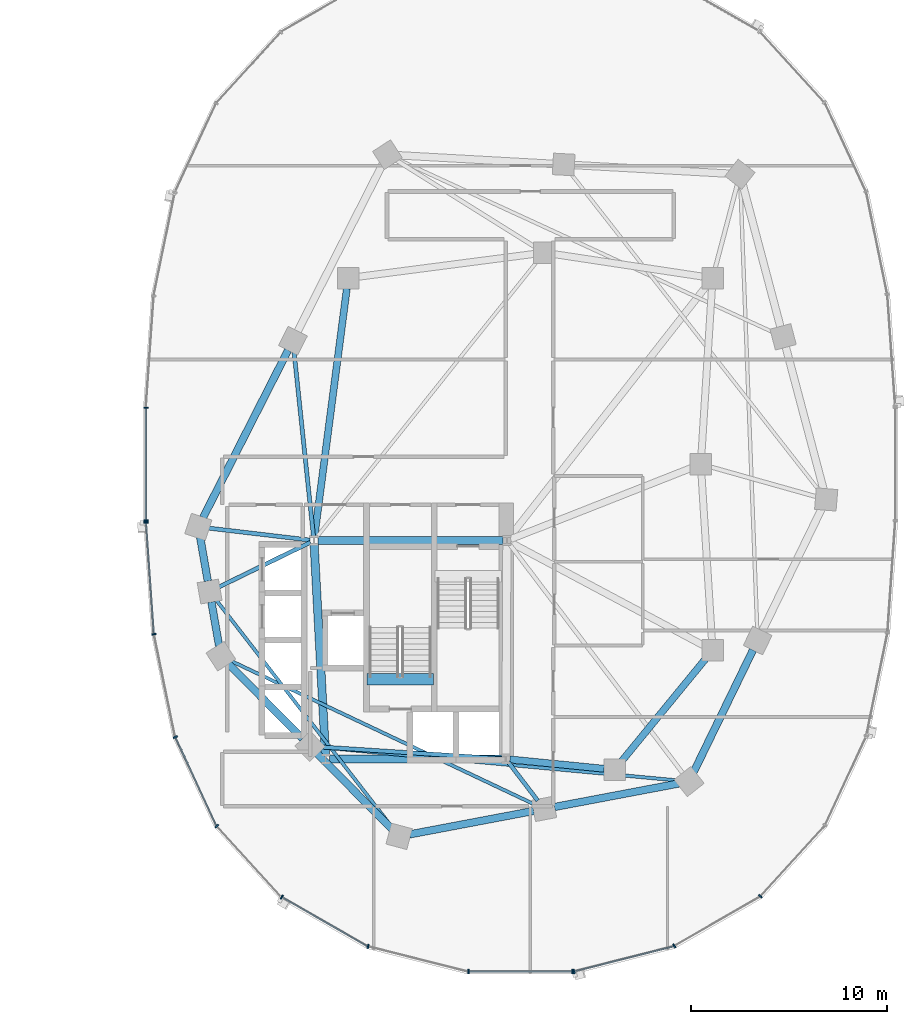
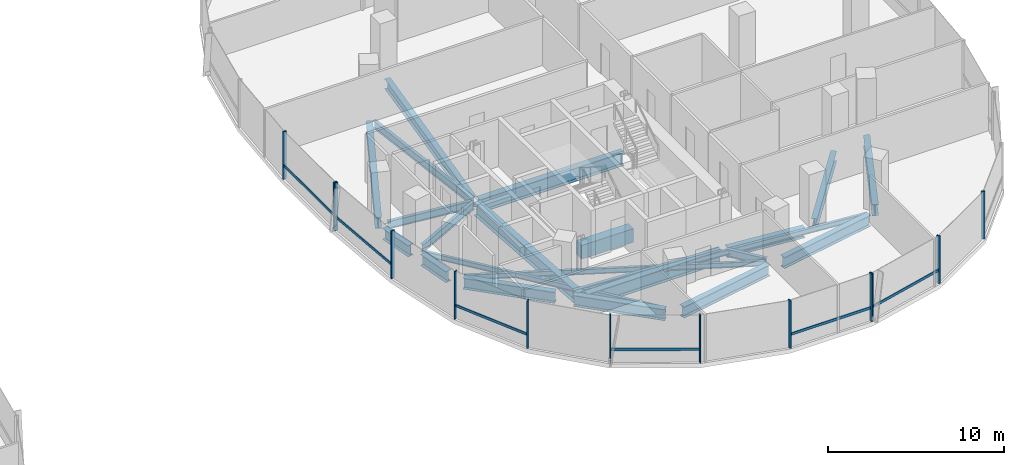
# One storey, part 5 of 21: 23 beams, 19 members, 3 elements without a shape of their own.
"""IFC4 building model written with IfcOpenShell, lengths in metres."""

from ifc_helpers import new_model, si_unit, direction, frame, origin, origin_2d, place, context, subcontext, project, spatial, rectangle, i_section, extrude, material, material_profile, profile_set, type_object, element, aggregate, save


model = new_model("IFC4")

# Units and contexts
model_context = context("Model", 3, precision=1e-05, world=origin(), true_north=direction((0.0, 1.0)))
body_context = subcontext(model_context, "Body", "Model", "MODEL_VIEW")
ifc_project = project(units=[si_unit("LENGTHUNIT", "METRE"), si_unit("AREAUNIT", "SQUARE_METRE"), si_unit("VOLUMEUNIT", "CUBIC_METRE"), si_unit("PLANEANGLEUNIT", "RADIAN"), si_unit("MASSUNIT", "GRAM", prefix="KILO"), si_unit("THERMODYNAMICTEMPERATUREUNIT", "KELVIN"), si_unit("POWERUNIT", "WATT")], contexts=[model_context])

# Site, building, storey
site_placement = place(None, origin())
site = spatial("IfcSite", under=ifc_project, at=site_placement, CompositionType="ELEMENT")
building_placement = place(site_placement, origin())
building = spatial("IfcBuilding", under=site, at=building_placement, Name="Cundina Bronze Exchange", CompositionType="ELEMENT")
storey_placement = place(building_placement, frame((0.0, 0.0, 121.39990234375)))
storey = spatial("IfcBuildingStorey", under=building, at=storey_placement, Name="L31", CompositionType="ELEMENT", Elevation=121.39990234375)

# Beams
ifc_material_1 = material(Name="Concrete C60/75", Category="concrete")
ifc_material_profile_1 = material_profile(ifc_material_1, rectangle(XDim=0.60009765625, YDim=0.949951171875, at=origin_2d()), Name="RC600X950", Category="concrete")
ifc_profile_set_1 = profile_set([ifc_material_profile_1], Name="Concrete C60/75")
beam_type_1 = type_object("IfcBeamType", Name="BM-COUP-RC950", PredefinedType="LINTEL", material=ifc_profile_set_1)
beam_1_placement = place(storey_placement, frame((24.159912109375, -10.97998046875, -0.474853515625), z_axis=(1.0, 0.0, 0.0), x_axis=(0.0, 1.0, 0.0)))
element("IfcBeam", 1, at=beam_1_placement, inside=storey, type_object=beam_type_1, Name="L31 Stair E2 Landing Header Beam", PredefinedType="LINTEL", context=body_context, shape_type="SweptSolid", body=[
    extrude(rectangle(XDim=0.60009765625, YDim=0.949951171875, at=origin_2d()), origin(), (0.0, 0.0, 1.0), 3.400146484375),
])
ifc_material_2 = material(Name="Steel ASTM A992 Grade 50", Category="steel")
ifc_material_profile_2 = material_profile(ifc_material_2, i_section(OverallWidth=0.2099609375, OverallDepth=0.532958984375, WebThickness=0.01025390625, FlangeThickness=0.015625, FilletRadius=0.013916015625, at=origin_2d()), Name="W21X62", Category="steel")
ifc_profile_set_2 = profile_set([ifc_material_profile_2], Name="Steel ASTM A992 Grade 50")
beam_type_2 = type_object("IfcBeamType", Name="BM-FLR-W21B", PredefinedType="BEAM", material=ifc_profile_set_2)
beam_2_placement = place(storey_placement, frame((21.247314453125, -3.8759765625, -0.56640625), z_axis=(-0.993035701683, 0.117813815752, 0.0), x_axis=(-0.117813815752, -0.993035701683, 0.0)))
element("IfcBeam", 2, at=beam_2_placement, inside=storey, type_object=beam_type_2, Name="L31 Leg E Chordal Floor Beam 00", PredefinedType="BEAM", context=body_context, shape_type="SweptSolid", body=[
    extrude(i_section(OverallWidth=0.2099609375, OverallDepth=0.532958984375, WebThickness=0.01025390625, FlangeThickness=0.015625, FilletRadius=0.013916015625, at=origin_2d()), origin(), (0.0, 0.0, 1.0), 5.19921875),
])
beam_3_placement = place(storey_placement, frame((21.2666015625, -3.989501953125, -0.56640625), z_axis=(-0.898607246385, -0.438753936443, 0.0), x_axis=(0.438753936443, -0.898607246385, 0.0)))
element("IfcBeam", 3, at=beam_3_placement, inside=storey, type_object=beam_type_2, Name="L31 Leg E Chordal Floor Beam 01", PredefinedType="BEAM", context=body_context, shape_type="SweptSolid", body=[
    extrude(i_section(OverallWidth=0.2099609375, OverallDepth=0.532958984375, WebThickness=0.01025390625, FlangeThickness=0.015625, FilletRadius=0.013916015625, at=origin_2d()), origin(), (0.0, 0.0, 1.0), 5.183837890625),
])
beam_4_placement = place(storey_placement, frame((31.04638671875, -15.036865234375, -0.56640625), z_axis=(-0.997892901568, 0.064882640211, 0.0), x_axis=(-0.064882640211, -0.997892901568, 0.0)))
element("IfcBeam", 4, at=beam_4_placement, inside=storey, type_object=beam_type_2, Name="L31 Leg E Chordal Floor Beam 03", PredefinedType="BEAM", context=body_context, shape_type="SweptSolid", body=[
    extrude(i_section(OverallWidth=0.2099609375, OverallDepth=0.532958984375, WebThickness=0.01025390625, FlangeThickness=0.015625, FilletRadius=0.013916015625, at=origin_2d()), origin(), (0.0, 0.0, 1.0), 9.279052734375),
])
beam_5_placement = place(storey_placement, frame((31.373779296875, -15.2119140625, -0.56640625), z_axis=(0.607490490457, -0.79432695032, 0.0), x_axis=(0.79432695032, 0.607490490457, 0.0)))
element("IfcBeam", 5, at=beam_5_placement, inside=storey, type_object=beam_type_2, Name="L31 Leg E Chordal Floor Beam 05", PredefinedType="BEAM", context=body_context, shape_type="SweptSolid", body=[
    extrude(i_section(OverallWidth=0.2099609375, OverallDepth=0.532958984375, WebThickness=0.01025390625, FlangeThickness=0.015625, FilletRadius=0.013916015625, at=origin_2d()), origin(), (0.0, 0.0, 1.0), 2.46826171875),
])
beam_6_placement = place(storey_placement, frame((21.4287109375, -3.697021484375, -0.56640625), z_axis=(-0.104822364957, 0.994490961148, 0.0), x_axis=(-0.994490961148, -0.104822364957, 0.0)))
element("IfcBeam", 6, at=beam_6_placement, inside=storey, type_object=beam_type_2, Name="L31 Leg E Chordal Floor Beam 13", PredefinedType="BEAM", context=body_context, shape_type="SweptSolid", body=[
    extrude(i_section(OverallWidth=0.2099609375, OverallDepth=0.532958984375, WebThickness=0.01025390625, FlangeThickness=0.015625, FilletRadius=0.013916015625, at=origin_2d()), origin(), (0.0, 0.0, 1.0), 9.514404296875),
])
ifc_material_profile_3 = material_profile(ifc_material_2, i_section(OverallWidth=0.172119140625, OverallDepth=0.35791015625, WebThickness=0.0078125, FlangeThickness=0.01318359375, FilletRadius=0.010009765625, at=origin_2d()), Name="W14X38", Category="steel")
ifc_profile_set_3 = profile_set([ifc_material_profile_3], Name="Steel ASTM A992 Grade 50")
beam_type_3 = type_object("IfcBeamType", Name="BM-JST-W14", PredefinedType="JOIST", material=ifc_profile_set_3)
beam_7_placement = place(storey_placement, frame((16.454345703125, -6.92529296875, -0.47900390625), z_axis=(0.612065218806, -0.790807288742, 0.0), x_axis=(0.790807288742, 0.612065218806, 0.0)))
element("IfcBeam", 7, at=beam_7_placement, inside=storey, type_object=beam_type_3, Name="L31 Leg E Lobe Floor Joist 01-04", PredefinedType="JOIST", context=body_context, shape_type="SweptSolid", body=[
    extrude(i_section(OverallWidth=0.172119140625, OverallDepth=0.35791015625, WebThickness=0.0078125, FlangeThickness=0.01318359375, FilletRadius=0.010009765625, at=origin_2d()), origin(), (0.0, 0.0, 1.0), 14.73095703125),
])
beam_8_placement = place(storey_placement, frame((17.186279296875, -10.02978515625, -0.47900390625), z_axis=(0.904069270633, -0.427385954259, 0.0), x_axis=(0.427385954259, 0.904069270633, 0.0)))
element("IfcBeam", 8, at=beam_8_placement, inside=storey, type_object=beam_type_3, Name="L31 Leg E Lobe Floor Joist 02-05", PredefinedType="JOIST", context=body_context, shape_type="SweptSolid", body=[
    extrude(i_section(OverallWidth=0.172119140625, OverallDepth=0.35791015625, WebThickness=0.0078125, FlangeThickness=0.01318359375, FilletRadius=0.010009765625, at=origin_2d()), origin(), (0.0, 0.0, 1.0), 17.175048828125),
])
beam_9_placement = place(storey_placement, frame((21.78564453125, -14.44970703125, -0.47900390625), z_axis=(0.995700674022, -0.092629194921, 0.0), x_axis=(0.092629194921, 0.995700674022, 0.0)))
element("IfcBeam", 9, at=beam_9_placement, inside=storey, type_object=beam_type_3, Name="L31 Leg E Lobe Floor Joist 03-06", PredefinedType="JOIST", context=body_context, shape_type="SweptSolid", body=[
    extrude(i_section(OverallWidth=0.172119140625, OverallDepth=0.35791015625, WebThickness=0.0078125, FlangeThickness=0.01318359375, FilletRadius=0.010009765625, at=origin_2d()), origin(), (0.0, 0.0, 1.0), 18.357421875),
])
ifc_material_profile_4 = material_profile(ifc_material_2, i_section(OverallWidth=0.35498046875, OverallDepth=0.695068359375, WebThickness=0.015380859375, FlangeThickness=0.02490234375, FilletRadius=0.01806640625, at=origin_2d()), Name="W27X146", Category="steel")
ifc_profile_set_4 = profile_set([ifc_material_profile_4], Name="Steel ASTM A992 Grade 50")
beam_type_4 = type_object("IfcBeamType", Name="BM-RING-W27", PredefinedType="USERDEFINED", material=ifc_profile_set_4)
beam_10_placement = place(storey_placement, frame((31.452880859375, -15.070068359375, -0.6474609375), z_axis=(0.995126271817, -0.098608839051, 0.0), x_axis=(0.098608839051, 0.995126271817, 0.0)))
element("IfcBeam", 10, at=beam_10_placement, inside=storey, type_object=beam_type_4, Name="L31 E Inner Structural Ring Girder 01", ObjectType="GIRDER", PredefinedType="USERDEFINED", context=body_context, shape_type="SweptSolid", body=[
    extrude(i_section(OverallWidth=0.35498046875, OverallDepth=0.695068359375, WebThickness=0.015380859375, FlangeThickness=0.02490234375, FilletRadius=0.01806640625, at=origin_2d()), origin(), (0.0, 0.0, 1.0), 4.83544921875),
])
beam_11_placement = place(storey_placement, frame((37.14111328125, -15.183837890625, -0.6474609375), z_axis=(0.633926549035, 0.773393257295, 0.0), x_axis=(-0.773393257295, 0.633926549035, 0.0)))
element("IfcBeam", 11, at=beam_11_placement, inside=storey, type_object=beam_type_4, Name="L31 E Inner Structural Ring Girder 02", ObjectType="GIRDER", PredefinedType="USERDEFINED", context=body_context, shape_type="SweptSolid", body=[
    extrude(i_section(OverallWidth=0.35498046875, OverallDepth=0.695068359375, WebThickness=0.015380859375, FlangeThickness=0.02490234375, FilletRadius=0.01806640625, at=origin_2d()), origin(), (0.0, 0.0, 1.0), 6.811279296875),
])
beam_12_placement = place(storey_placement, frame((23.13037109375, 8.966552734375, -0.6474609375), z_axis=(-0.129507526533, -0.99157843894, 0.0), x_axis=(0.99157843894, -0.129507526533, 0.0)))
element("IfcBeam", 12, at=beam_12_placement, inside=storey, type_object=beam_type_4, Name="L31 E Inner Structural Ring Girder 07", ObjectType="GIRDER", PredefinedType="USERDEFINED", context=body_context, shape_type="SweptSolid", body=[
    extrude(i_section(OverallWidth=0.35498046875, OverallDepth=0.695068359375, WebThickness=0.015380859375, FlangeThickness=0.02490234375, FilletRadius=0.01806640625, at=origin_2d()), origin(), (0.0, 0.0, 1.0), 12.77197265625),
])
ifc_material_profile_5 = material_profile(ifc_material_2, i_section(OverallWidth=0.381103515625, OverallDepth=0.77294921875, WebThickness=0.0166015625, FlangeThickness=0.027099609375, FilletRadius=0.01904296875, at=origin_2d()), Name="W30X173", Category="steel")
ifc_profile_set_5 = profile_set([ifc_material_profile_5], Name="Steel ASTM A992 Grade 50")
beam_type_5 = type_object("IfcBeamType", Name="BM-RING-W30", PredefinedType="USERDEFINED", material=ifc_profile_set_5)
for number, where, z_axis, x_axis, name in (
    (13, (15.642333984375, -3.72998046875, -0.6865234375), (0.171690078326, -0.985151012284, 0.0), (0.985151012284, 0.171690078326, 0.0), "L31 E Perimeter Ring Girder 00"),
    (14, (16.21728515625, -7.030029296875, -0.6865234375), (0.171690078326, -0.985151012284, 0.0), (0.985151012284, 0.171690078326, 0.0), "L31 E Perimeter Ring Girder 01"),
):
    element("IfcBeam", number, at=place(storey_placement, frame(where, z_axis=z_axis, x_axis=x_axis)), inside=storey, type_object=beam_type_5, Name=name, ObjectType="GIRDER", PredefinedType="USERDEFINED", context=body_context, shape_type="SweptSolid", body=[
        extrude(i_section(OverallWidth=0.381103515625, OverallDepth=0.77294921875, WebThickness=0.0166015625, FlangeThickness=0.027099609375, FilletRadius=0.01904296875, at=origin_2d()), origin(), (0.0, 0.0, 1.0), 2.273681640625),
    ])
for number, where, z_axis, x_axis, name in (
    (15, (17.078369140625, -10.1826171875, -0.6865234375), (0.703226342126, -0.7109660412, 0.0), (0.7109660412, 0.703226342126, 0.0), "L31 E Perimeter Ring Girder 02"),
    (16, (21.62841796875, -14.782470703125, -0.6865234375), (0.703226342126, -0.7109660412, 0.0), (0.7109660412, 0.703226342126, 0.0), "L31 E Perimeter Ring Girder 03"),
):
    element("IfcBeam", number, at=place(storey_placement, frame(where, z_axis=z_axis, x_axis=x_axis)), inside=storey, type_object=beam_type_5, Name=name, ObjectType="GIRDER", PredefinedType="USERDEFINED", context=body_context, shape_type="SweptSolid", body=[
        extrude(i_section(OverallWidth=0.381103515625, OverallDepth=0.77294921875, WebThickness=0.0166015625, FlangeThickness=0.027099609375, FilletRadius=0.01904296875, at=origin_2d()), origin(), (0.0, 0.0, 1.0), 5.39404296875),
    ])
for number, where, z_axis, x_axis, name in (
    (17, (26.32861328125, -18.89990234375, -0.6865234375), (0.98257117919, 0.185886733861, 0.0), (-0.185886733861, 0.98257117919, 0.0), "L31 E Perimeter Ring Girder 04"),
    (18, (33.728515625, -17.5, -0.6865234375), (0.98257117919, 0.185886733861, 0.0), (-0.185886733861, 0.98257117919, 0.0), "L31 E Perimeter Ring Girder 05"),
):
    element("IfcBeam", number, at=place(storey_placement, frame(where, z_axis=z_axis, x_axis=x_axis)), inside=storey, type_object=beam_type_5, Name=name, ObjectType="GIRDER", PredefinedType="USERDEFINED", context=body_context, shape_type="SweptSolid", body=[
        extrude(i_section(OverallWidth=0.381103515625, OverallDepth=0.77294921875, WebThickness=0.0166015625, FlangeThickness=0.027099609375, FilletRadius=0.01904296875, at=origin_2d()), origin(), (0.0, 0.0, 1.0), 6.455322265625),
    ])
beam_13_placement = place(storey_placement, frame((40.835205078125, -15.716064453125, -0.6865234375), z_axis=(0.437193894283, 0.899367276924, 0.0), x_axis=(-0.899367276924, 0.437193894283, 0.0)))
element("IfcBeam", 19, at=beam_13_placement, inside=storey, type_object=beam_type_5, Name="L31 E Perimeter Ring Girder 06", ObjectType="GIRDER", PredefinedType="USERDEFINED", context=body_context, shape_type="SweptSolid", body=[
    extrude(i_section(OverallWidth=0.381103515625, OverallDepth=0.77294921875, WebThickness=0.0166015625, FlangeThickness=0.027099609375, FilletRadius=0.01904296875, at=origin_2d()), origin(), (0.0, 0.0, 1.0), 6.929443359375),
])
beam_14_placement = place(storey_placement, frame((20.13134765625, 5.8203125, -0.6865234375), z_axis=(-0.452832332744, -0.891595692241, 0.0), x_axis=(0.891595692241, -0.452832332744, 0.0)))
element("IfcBeam", 20, at=beam_14_placement, inside=storey, type_object=beam_type_5, Name="L31 E Perimeter Ring Girder 13", ObjectType="GIRDER", PredefinedType="USERDEFINED", context=body_context, shape_type="SweptSolid", body=[
    extrude(i_section(OverallWidth=0.381103515625, OverallDepth=0.77294921875, WebThickness=0.0166015625, FlangeThickness=0.027099609375, FilletRadius=0.01904296875, at=origin_2d()), origin(), (0.0, 0.0, 1.0), 9.578857421875),
])
ifc_material_profile_6 = material_profile(ifc_material_2, i_section(OverallWidth=0.41796875, OverallDepth=0.927001953125, WebThickness=0.019287109375, FlangeThickness=0.031982421875, FilletRadius=0.02392578125, at=origin_2d()), Name="W36X231", Category="steel")
ifc_profile_set_6 = profile_set([ifc_material_profile_6], Name="Steel ASTM A992 Grade 50")
beam_type_6 = type_object("IfcBeamType", Name="BM-WRN-W36B", PredefinedType="USERDEFINED", material=ifc_profile_set_6)
beam_15_placement = place(storey_placement, frame((31.095947265625, -3.89990234375, -0.763427734375), z_axis=(-1.0, 0.0, 0.0), x_axis=(0.0, -1.0, 0.0)))
element("IfcBeam", 21, at=beam_15_placement, inside=storey, type_object=beam_type_6, Name="L31 E Core Perimeter Tie Girder 1", ObjectType="GIRDER", PredefinedType="USERDEFINED", context=body_context, shape_type="SweptSolid", body=[
    extrude(i_section(OverallWidth=0.41796875, OverallDepth=0.927001953125, WebThickness=0.019287109375, FlangeThickness=0.031982421875, FilletRadius=0.02392578125, at=origin_2d()), origin(), (0.0, 0.0, 1.0), 9.44189453125),
])
beam_16_placement = place(storey_placement, frame((21.4609375, -4.103759765625, -0.763427734375), z_axis=(0.053739193498, -0.998555005537, 0.0), x_axis=(0.998555005537, 0.053739193498, 0.0)))
element("IfcBeam", 22, at=beam_16_placement, inside=storey, type_object=beam_type_6, Name="L31 E Core Perimeter Tie Girder 2", ObjectType="GIRDER", PredefinedType="USERDEFINED", context=body_context, shape_type="SweptSolid", body=[
    extrude(i_section(OverallWidth=0.41796875, OverallDepth=0.927001953125, WebThickness=0.019287109375, FlangeThickness=0.031982421875, FilletRadius=0.02392578125, at=origin_2d()), origin(), (0.0, 0.0, 1.0), 10.758056640625),
])
beam_17_placement = place(storey_placement, frame((22.25390625, -15.050048828125, -0.763427734375), z_axis=(1.0, 0.0, 0.0), x_axis=(0.0, 1.0, 0.0)))
element("IfcBeam", 23, at=beam_17_placement, inside=storey, type_object=beam_type_6, Name="L31 E Core Perimeter Tie Girder 3", ObjectType="GIRDER", PredefinedType="USERDEFINED", context=body_context, shape_type="SweptSolid", body=[
    extrude(i_section(OverallWidth=0.41796875, OverallDepth=0.927001953125, WebThickness=0.019287109375, FlangeThickness=0.031982421875, FilletRadius=0.02392578125, at=origin_2d()), origin(), (0.0, 0.0, 1.0), 8.7919921875),
])

# Curtain wall, members
ifc_material_3 = material(Name="Anodised Bronze Aluminium 6063-T6", Category="aluminium")
curtain_wall_type = type_object("IfcCurtainWallType", Name="CWS-TRD-MID", PredefinedType="NOTDEFINED", material=ifc_material_3)
curtain_wall_1_placement = place(storey_placement, origin())
curtain_wall_1 = element("IfcCurtainWall", 24, at=curtain_wall_1_placement, inside=storey, type_object=curtain_wall_type, Name="L31 CW-03 Curtain Wall Run CWR-L31-E2", PredefinedType="NOTDEFINED")
ifc_material_profile_7 = material_profile(ifc_material_3, rectangle(XDim=0.074951171875, YDim=0.219970703125, at=origin_2d()), Name="AL75X220", Category="aluminium")
ifc_profile_set_7 = profile_set([ifc_material_profile_7], Name="Anodised Bronze Aluminium 6063-T6")
member_type_1 = type_object("IfcMemberType", Name="CWM-MUL-220", PredefinedType="MULLION", material=ifc_profile_set_7)
member_1_placement = place(storey_placement, frame((12.8720703125, 2.880615234375, 0.0), z_axis=(0.0, 0.0, 1.0), x_axis=(0.0, -1.0, 0.0)))
member_1 = element("IfcMember", 25, at=member_1_placement, type_object=member_type_1, Name="CW-03 Mullion 7", PredefinedType="MULLION", context=body_context, shape_type="SweptSolid", body=[
    extrude(rectangle(XDim=0.074951171875, YDim=0.219970703125, at=origin_2d()), origin(), (0.0, 0.0, 1.0), 3.300048828125),
])
member_2_placement = place(storey_placement, frame((12.8720703125, -2.880615234375, 0.0), z_axis=(0.0, 0.0, 1.0), x_axis=(0.0, -1.0, 0.0)))
member_2 = element("IfcMember", 26, at=member_2_placement, type_object=member_type_1, Name="CW-03 End Mullion", PredefinedType="MULLION", context=body_context, shape_type="SweptSolid", body=[
    extrude(rectangle(XDim=0.074951171875, YDim=0.219970703125, at=origin_2d()), origin(), (0.0, 0.0, 1.0), 3.300048828125),
])

curtain_wall_2_placement = place(storey_placement, origin())
curtain_wall_2 = element("IfcCurtainWall", 27, at=curtain_wall_2_placement, inside=storey, type_object=curtain_wall_type, Name="L31 CW-03 Curtain Wall Run CWR-L31-E3", PredefinedType="NOTDEFINED")
member_3_placement = place(storey_placement, frame((12.87548828125, -2.976318359375, 0.0), z_axis=(0.0, 0.0, 1.0), x_axis=(0.070278787473, -0.997527389113, 0.0)))
member_3 = element("IfcMember", 28, at=member_3_placement, type_object=member_type_1, Name="CW-03 Mullion 1", PredefinedType="MULLION", context=body_context, shape_type="SweptSolid", body=[
    extrude(rectangle(XDim=0.074951171875, YDim=0.219970703125, at=origin_2d()), origin(), (0.0, 0.0, 1.0), 3.300048828125),
])
member_4_placement = place(storey_placement, frame((13.282958984375, -8.67822265625, 0.0), z_axis=(0.0, 0.0, 1.0), x_axis=(0.201419845156, -0.979505000486, 0.0)))
member_4 = element("IfcMember", 29, at=member_4_placement, type_object=member_type_1, Name="CW-03 Mullion 2", PredefinedType="MULLION", context=body_context, shape_type="SweptSolid", body=[
    extrude(rectangle(XDim=0.074951171875, YDim=0.219970703125, at=origin_2d()), origin(), (0.0, 0.0, 1.0), 3.300048828125),
])
member_5_placement = place(storey_placement, frame((14.3720703125, -13.931884765625, 0.0), z_axis=(0.0, 0.0, 1.0), x_axis=(0.42087749791, -0.907117485088, 0.0)))
member_5 = element("IfcMember", 30, at=member_5_placement, type_object=member_type_1, Name="CW-03 Mullion 3", PredefinedType="MULLION", context=body_context, shape_type="SweptSolid", body=[
    extrude(rectangle(XDim=0.074951171875, YDim=0.219970703125, at=origin_2d()), origin(), (0.0, 0.0, 1.0), 3.300048828125),
])
member_6_placement = place(storey_placement, frame((16.491455078125, -18.47705078125, 0.0), z_axis=(0.0, 0.0, 1.0), x_axis=(0.674302387584, -0.738455340626, 0.0)))
member_6 = element("IfcMember", 31, at=member_6_placement, type_object=member_type_1, Name="CW-03 Mullion 4", PredefinedType="MULLION", context=body_context, shape_type="SweptSolid", body=[
    extrude(rectangle(XDim=0.074951171875, YDim=0.219970703125, at=origin_2d()), origin(), (0.0, 0.0, 1.0), 3.300048828125),
])
member_7_placement = place(storey_placement, frame((19.810302734375, -22.097412109375, 0.0), z_axis=(0.0, 0.0, 1.0), x_axis=(0.867070701164, -0.498185105339, 0.0)))
member_7 = element("IfcMember", 32, at=member_7_placement, type_object=member_type_1, Name="CW-03 Mullion 5", PredefinedType="MULLION", context=body_context, shape_type="SweptSolid", body=[
    extrude(rectangle(XDim=0.074951171875, YDim=0.219970703125, at=origin_2d()), origin(), (0.0, 0.0, 1.0), 3.300048828125),
])
member_8_placement = place(storey_placement, frame((24.21484375, -24.61669921875, 0.0), z_axis=(0.0, 0.0, 1.0), x_axis=(0.969488149345, -0.245138182011, 0.0)))
member_8 = element("IfcMember", 33, at=member_8_placement, type_object=member_type_1, Name="CW-03 Mullion 6", PredefinedType="MULLION", context=body_context, shape_type="SweptSolid", body=[
    extrude(rectangle(XDim=0.074951171875, YDim=0.219970703125, at=origin_2d()), origin(), (0.0, 0.0, 1.0), 3.300048828125),
])
member_9_placement = place(storey_placement, frame((29.345458984375, -25.905029296875, 0.0), z_axis=(0.0, 0.0, 1.0), x_axis=(1.0, 0.0, 0.0)))
member_9 = element("IfcMember", 34, at=member_9_placement, type_object=member_type_1, Name="CW-03 Mullion 7", PredefinedType="MULLION", context=body_context, shape_type="SweptSolid", body=[
    extrude(rectangle(XDim=0.074951171875, YDim=0.219970703125, at=origin_2d()), origin(), (0.0, 0.0, 1.0), 3.300048828125),
])
member_10_placement = place(storey_placement, frame((34.654541015625, -25.905029296875, 0.0), z_axis=(0.0, 0.0, 1.0), x_axis=(1.0, 0.0, 0.0)))
member_10 = element("IfcMember", 35, at=member_10_placement, type_object=member_type_1, Name="CW-03 End Mullion", PredefinedType="MULLION", context=body_context, shape_type="SweptSolid", body=[
    extrude(rectangle(XDim=0.074951171875, YDim=0.219970703125, at=origin_2d()), origin(), (0.0, 0.0, 1.0), 3.300048828125),
])

curtain_wall_3_placement = place(storey_placement, origin())
curtain_wall_3 = element("IfcCurtainWall", 36, at=curtain_wall_3_placement, inside=storey, type_object=curtain_wall_type, Name="L31 CW-03 Curtain Wall Run CWR-L31-E4", PredefinedType="NOTDEFINED")
member_11_placement = place(storey_placement, frame((34.72607421875, -25.89599609375, 0.0), z_axis=(0.0, 0.0, 1.0), x_axis=(0.969488149345, 0.245138182011, 0.0)))
member_11 = element("IfcMember", 37, at=member_11_placement, type_object=member_type_1, Name="CW-03 Mullion 1", PredefinedType="MULLION", context=body_context, shape_type="SweptSolid", body=[
    extrude(rectangle(XDim=0.074951171875, YDim=0.219970703125, at=origin_2d()), origin(), (0.0, 0.0, 1.0), 3.300048828125),
])
member_12_placement = place(storey_placement, frame((39.848876953125, -24.591064453125, 0.0), z_axis=(0.0, 0.0, 1.0), x_axis=(0.867070701164, 0.498185105339, 0.0)))
member_12 = element("IfcMember", 38, at=member_12_placement, type_object=member_type_1, Name="CW-03 Mullion 2", PredefinedType="MULLION", context=body_context, shape_type="SweptSolid", body=[
    extrude(rectangle(XDim=0.074951171875, YDim=0.219970703125, at=origin_2d()), origin(), (0.0, 0.0, 1.0), 3.300048828125),
])
member_13_placement = place(storey_placement, frame((44.239501953125, -22.0576171875, 0.0), z_axis=(0.0, 0.0, 1.0), x_axis=(0.674302387584, 0.738455340626, 0.0)))
member_13 = element("IfcMember", 39, at=member_13_placement, type_object=member_type_1, Name="CW-03 Mullion 3", PredefinedType="MULLION", context=body_context, shape_type="SweptSolid", body=[
    extrude(rectangle(XDim=0.074951171875, YDim=0.219970703125, at=origin_2d()), origin(), (0.0, 0.0, 1.0), 3.300048828125),
])

# Member
ifc_material_profile_8 = material_profile(ifc_material_3, rectangle(XDim=0.070068359375, YDim=0.179931640625, at=origin_2d()), Name="AL70X180", Category="aluminium")
ifc_profile_set_8 = profile_set([ifc_material_profile_8], Name="Anodised Bronze Aluminium 6063-T6")
member_type_2 = type_object("IfcMemberType", Name="CWM-TRN-180", PredefinedType="USERDEFINED", material=ifc_profile_set_8)
member_14_placement = place(storey_placement, frame((12.8720703125, 2.839111328125, 0.920166015625), z_axis=(0.0, -1.0, 0.0), x_axis=(1.0, 0.0, 0.0)))
member_14 = element("IfcMember", 40, at=member_14_placement, type_object=member_type_2, Name="CW-03 Spandrel Transom 7", ObjectType="TRANSOM", PredefinedType="USERDEFINED", context=body_context, shape_type="SweptSolid", body=[
    extrude(rectangle(XDim=0.070068359375, YDim=0.179931640625, at=origin_2d()), origin(), (0.0, 0.0, 1.0), 5.67822265625),
])

aggregate(curtain_wall_1, [member_1, member_2, member_14])

member_15_placement = place(storey_placement, frame((12.87841796875, -3.017333984375, 0.920166015625), z_axis=(0.070260714471, -0.997528662246, 0.0), x_axis=(0.997528662246, 0.070260714471, 0.0)))
member_15 = element("IfcMember", 41, at=member_15_placement, type_object=member_type_2, Name="CW-03 Spandrel Transom 1", ObjectType="TRANSOM", PredefinedType="USERDEFINED", context=body_context, shape_type="SweptSolid", body=[
    extrude(rectangle(XDim=0.070068359375, YDim=0.179931640625, at=origin_2d()), origin(), (0.0, 0.0, 1.0), 5.629150390625),
])

member_16_placement = place(storey_placement, frame((14.389404296875, -13.96923828125, 0.920166015625), z_axis=(0.420811422796, -0.907148139195, 0.0), x_axis=(0.907148139195, 0.420811422796, 0.0)))
member_16 = element("IfcMember", 42, at=member_16_placement, type_object=member_type_2, Name="CW-03 Spandrel Transom 3", ObjectType="TRANSOM", PredefinedType="USERDEFINED", context=body_context, shape_type="SweptSolid", body=[
    extrude(rectangle(XDim=0.070068359375, YDim=0.179931640625, at=origin_2d()), origin(), (0.0, 0.0, 1.0), 4.95166015625),
])

member_17_placement = place(storey_placement, frame((19.845947265625, -22.117919921875, 0.920166015625), z_axis=(0.867097475651, -0.498138502546, 0.0), x_axis=(0.498138502546, 0.867097475651, 0.0)))
member_17 = element("IfcMember", 43, at=member_17_placement, type_object=member_type_2, Name="CW-03 Spandrel Transom 5", ObjectType="TRANSOM", PredefinedType="USERDEFINED", context=body_context, shape_type="SweptSolid", body=[
    extrude(rectangle(XDim=0.070068359375, YDim=0.179931640625, at=origin_2d()), origin(), (0.0, 0.0, 1.0), 5.00634765625),
])

member_18_placement = place(storey_placement, frame((29.38671875, -25.905029296875, 0.920166015625), z_axis=(1.0, 0.0, 0.0), x_axis=(0.0, 1.0, 0.0)))
member_18 = element("IfcMember", 44, at=member_18_placement, type_object=member_type_2, Name="CW-03 Spandrel Transom 7", ObjectType="TRANSOM", PredefinedType="USERDEFINED", context=body_context, shape_type="SweptSolid", body=[
    extrude(rectangle(XDim=0.070068359375, YDim=0.179931640625, at=origin_2d()), origin(), (0.0, 0.0, 1.0), 5.2265625),
])

aggregate(curtain_wall_2, [member_3, member_15, member_4, member_5, member_16, member_6, member_7, member_17, member_8, member_9, member_10, member_18])

member_19_placement = place(storey_placement, frame((34.76611328125, -25.885986328125, 0.920166015625), z_axis=(0.969483968866, 0.245154714644, 0.0), x_axis=(-0.245154714644, 0.969483968866, 0.0)))
member_19 = element("IfcMember", 45, at=member_19_placement, type_object=member_type_2, Name="CW-03 Spandrel Transom 1", ObjectType="TRANSOM", PredefinedType="USERDEFINED", context=body_context, shape_type="SweptSolid", body=[
    extrude(rectangle(XDim=0.070068359375, YDim=0.179931640625, at=origin_2d()), origin(), (0.0, 0.0, 1.0), 5.21826171875),
])

aggregate(curtain_wall_3, [member_11, member_19, member_12, member_13])

save(model, "model.ifc")
